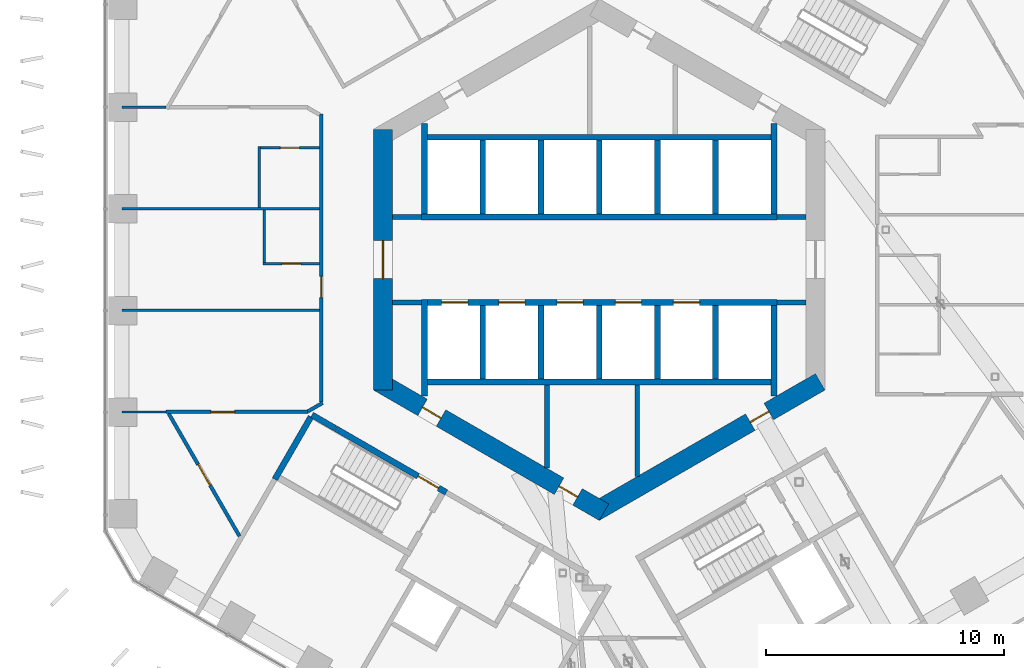
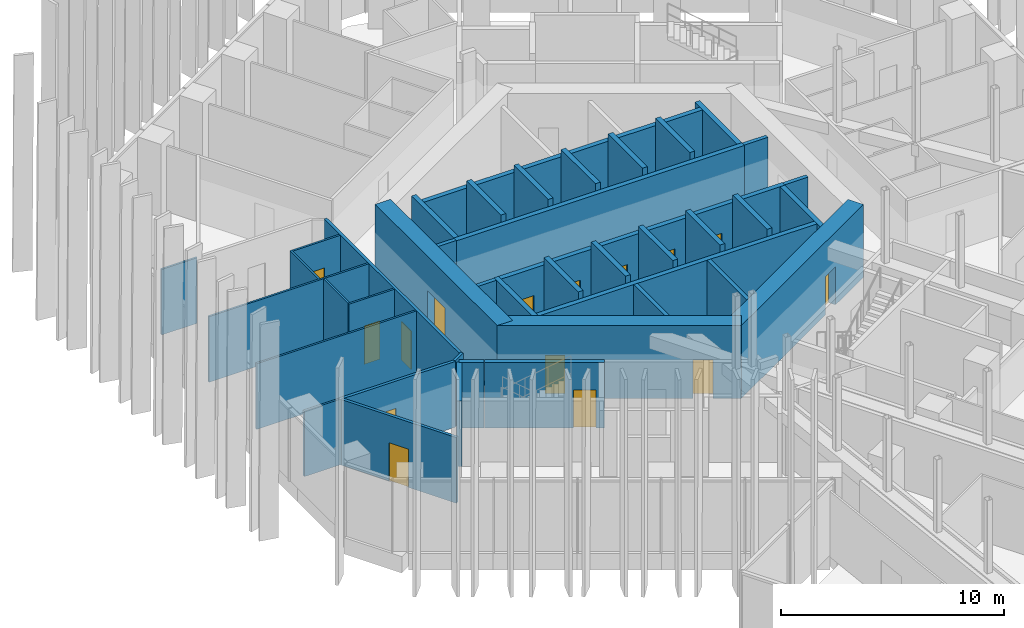
# One storey, part 21 of 29: 42 walls, 15 doors, 15 openings.
"""IFC4 building model written with IfcOpenShell, lengths in metres."""

from ifc_helpers import new_model, si_unit, direction, frame, frame_2d, origin, place, context, subcontext, project, spatial, rectangle, extrude, material, layer, layer_set, type_object, element, fill, save


model = new_model("IFC4")

# Units and contexts
model_context = context("Model", 3, precision=1e-05, world=origin(), true_north=direction((0.0, 1.0)))
body_context = subcontext(model_context, "Body", "Model", "MODEL_VIEW")
ifc_project = project(units=[si_unit("LENGTHUNIT", "METRE"), si_unit("AREAUNIT", "SQUARE_METRE"), si_unit("VOLUMEUNIT", "CUBIC_METRE"), si_unit("PLANEANGLEUNIT", "RADIAN"), si_unit("MASSUNIT", "GRAM", prefix="KILO")], contexts=[model_context])

# Site, building, storey
site_placement = place(None, origin())
site = spatial("IfcSite", under=ifc_project, at=site_placement, CompositionType="ELEMENT")
building_placement = place(site_placement, origin())
building = spatial("IfcBuilding", under=site, at=building_placement, Name="Ayvan Gate Tower", CompositionType="ELEMENT")
storey_placement = place(building_placement, frame((0.0, 0.0, 66.300048828125)))
storey = spatial("IfcBuildingStorey", under=building, at=storey_placement, Name="L17", CompositionType="ELEMENT", Elevation=66.300048828125)

# Wall, opening, door
ifc_material_1 = material(Name="Concrete C70/85", Category="concrete")
ifc_layer_1 = layer(ifc_material_1, 0.800048828125)
ifc_layer_set_1 = layer_set([ifc_layer_1], Name="Concrete C70/85")
wall_type_1 = type_object("IfcWallType", Name="Core wall 800 C70/85", PredefinedType="SHEAR", material=ifc_layer_set_1)
wall_1_placement = place(storey_placement, frame((-9.10009765625, 5.48486328125, 0.0), z_axis=(0.0, 0.0, 1.0), x_axis=(0.0, -1.0, 0.0)))
wall_1 = element("IfcWall", 1, at=wall_1_placement, inside=storey, type_object=wall_type_1, Name="CORE-L17-3", PredefinedType="SHEAR", context=body_context, shape_type="SweptSolid", body=[
    extrude(rectangle(XDim=10.9697265625, YDim=0.800048828125, at=frame_2d((5.48486328125, 0.0))), origin(), (0.0, 0.0, 1.0), 4.0),
])
opening_1_placement = place(wall_1_placement, frame((4.684814453125, 0.0, 0.0)))
opening_1 = element("IfcOpeningElement", 2, at=opening_1_placement, cuts=wall_1, Name="Opening L17-D58", PredefinedType="OPENING", context=body_context, shape_type="SweptSolid", body=[
    extrude(rectangle(XDim=1.60009765625, YDim=2.10009765625, at=frame_2d((0.800048828125, 1.050048828125))), frame((0.0, 0.409912109375, 0.0), z_axis=(0.0, -1.0, 0.0), x_axis=(1.0, 0.0, 0.0)), (0.0, 0.0, 1.0), 0.820068359375),
])
ifc_material_2 = material(Name="Timber door leaf", Category="wood")
door_type_1 = type_object("IfcDoorType", Name="DT-1600", OperationType="NOTDEFINED", PredefinedType="DOOR", material=ifc_material_2)
door_1_placement = place(opening_1_placement, origin())
door_1 = element("IfcDoor", 3, at=door_1_placement, inside=storey, type_object=door_type_1, Name="CD-L17-58", OperationType="SINGLE_SWING_LEFT", OverallHeight=2.10009765625, OverallWidth=1.60009765625, PredefinedType="DOOR", context=body_context, shape_type="SweptSolid", body=[
    extrude(rectangle(XDim=1.60009765625, YDim=2.10009765625, at=frame_2d((0.800048828125, 1.050048828125))), frame((0.0, 0.02490234375, 0.0), z_axis=(0.0, -1.0, 0.0), x_axis=(1.0, 0.0, 0.0)), (0.0, 0.0, 1.0), 0.050048828125),
])
fill(opening_1, door_1)

# Wall, openings, doors
wall_2_placement = place(storey_placement, frame((-9.300048828125, -5.138427734375, 0.0), z_axis=(0.0, 0.0, 1.0), x_axis=(0.866023993627, -0.500002442456, 0.0)))
wall_2 = element("IfcWall", 4, at=wall_2_placement, inside=storey, type_object=wall_type_1, Name="CORE-L17-4", PredefinedType="SHEAR", context=body_context, shape_type="SweptSolid", body=[
    extrude(rectangle(XDim=10.9697265625, YDim=0.800048828125, at=frame_2d((5.48486328125, 0.0))), origin(), (0.0, 0.0, 1.0), 4.0),
])
opening_2_placement = place(wall_2_placement, frame((2.1533203125, 0.0, 0.0)))
opening_2 = element("IfcOpeningElement", 5, at=opening_2_placement, cuts=wall_2, Name="Opening L17-D54", PredefinedType="OPENING", context=body_context, shape_type="SweptSolid", body=[
    extrude(rectangle(XDim=0.89990234375, YDim=2.10009765625, at=frame_2d((0.449951171875, 1.050048828125))), frame((0.0, 0.409912109375, 0.0), z_axis=(0.0, -1.0, 0.0), x_axis=(1.0, 0.0, 0.0)), (0.0, 0.0, 1.0), 0.820068359375),
])
opening_3_placement = place(wall_2_placement, frame((8.787109375, 0.0, 0.0)))
opening_3 = element("IfcOpeningElement", 6, at=opening_3_placement, cuts=wall_2, Name="Opening L17-D55", PredefinedType="OPENING", context=body_context, shape_type="SweptSolid", body=[
    extrude(rectangle(XDim=0.89990234375, YDim=2.10009765625, at=frame_2d((0.449951171875, 1.050048828125))), frame((0.0, 0.409912109375, 0.0), z_axis=(0.0, -1.0, 0.0), x_axis=(1.0, 0.0, 0.0)), (0.0, 0.0, 1.0), 0.820068359375),
])
door_type_2 = type_object("IfcDoorType", Name="DT-900", OperationType="NOTDEFINED", PredefinedType="DOOR", material=ifc_material_2)
door_2_placement = place(opening_2_placement, origin())
door_2 = element("IfcDoor", 7, at=door_2_placement, inside=storey, type_object=door_type_2, Name="CD-L17-54", OperationType="SINGLE_SWING_LEFT", OverallHeight=2.10009765625, OverallWidth=0.89990234375, PredefinedType="DOOR", context=body_context, shape_type="SweptSolid", body=[
    extrude(rectangle(XDim=0.89990234375, YDim=2.10009765625, at=frame_2d((0.449951171875, 1.050048828125))), frame((0.0, 0.02490234375, 0.0), z_axis=(0.0, -1.0, 0.0), x_axis=(1.0, 0.0, 0.0)), (0.0, 0.0, 1.0), 0.050048828125),
])
fill(opening_2, door_2)
door_3_placement = place(opening_3_placement, origin())
door_3 = element("IfcDoor", 8, at=door_3_placement, inside=storey, type_object=door_type_2, Name="CD-L17-55", OperationType="SINGLE_SWING_RIGHT", OverallHeight=2.10009765625, OverallWidth=0.89990234375, PredefinedType="DOOR", context=body_context, shape_type="SweptSolid", body=[
    extrude(rectangle(XDim=0.89990234375, YDim=2.10009765625, at=frame_2d((0.449951171875, 1.050048828125))), frame((0.0, 0.02490234375, 0.0), z_axis=(0.0, -1.0, 0.0), x_axis=(1.0, 0.0, 0.0)), (0.0, 0.0, 1.0), 0.050048828125),
])
fill(opening_3, door_3)

# Wall, opening, door
wall_3_placement = place(storey_placement, frame((-0.199951171875, -10.623291015625, 0.0), z_axis=(0.0, 0.0, 1.0), x_axis=(0.866023993627, 0.500002442456, 0.0)))
wall_3 = element("IfcWall", 9, at=wall_3_placement, inside=storey, type_object=wall_type_1, Name="CORE-L17-5", PredefinedType="SHEAR", context=body_context, shape_type="SweptSolid", body=[
    extrude(rectangle(XDim=10.9697265625, YDim=0.800048828125, at=frame_2d((5.48486328125, 0.0))), origin(), (0.0, 0.0, 1.0), 4.0),
])
opening_4_placement = place(wall_3_placement, frame((7.570068359375, 0.0, 0.0)))
opening_4 = element("IfcOpeningElement", 10, at=opening_4_placement, cuts=wall_3, Name="Opening L17-D56", PredefinedType="OPENING", context=body_context, shape_type="SweptSolid", body=[
    extrude(rectangle(XDim=0.89990234375, YDim=2.10009765625, at=frame_2d((0.449951171875, 1.050048828125))), frame((0.0, 0.409912109375, 0.0), z_axis=(0.0, -1.0, 0.0), x_axis=(1.0, 0.0, 0.0)), (0.0, 0.0, 1.0), 0.820068359375),
])
door_4_placement = place(opening_4_placement, origin())
door_4 = element("IfcDoor", 11, at=door_4_placement, inside=storey, type_object=door_type_2, Name="CD-L17-56", OperationType="SINGLE_SWING_LEFT", OverallHeight=2.10009765625, OverallWidth=0.89990234375, PredefinedType="DOOR", context=body_context, shape_type="SweptSolid", body=[
    extrude(rectangle(XDim=0.89990234375, YDim=2.10009765625, at=frame_2d((0.449951171875, 1.050048828125))), frame((0.0, 0.02490234375, 0.0), z_axis=(0.0, -1.0, 0.0), x_axis=(1.0, 0.0, 0.0)), (0.0, 0.0, 1.0), 0.050048828125),
])
fill(opening_4, door_4)

ifc_material_3 = material(Name="Plasterboard on steel stud", Category="steel")
ifc_layer_2 = layer(ifc_material_3, 0.14990234375)
ifc_layer_set_2 = layer_set([ifc_layer_2], Name="Plasterboard on steel stud")
wall_type_2 = type_object("IfcWallType", Name="WT-CORR-150", PredefinedType="PARTITIONING", material=ifc_layer_set_2)
wall_4_placement = place(storey_placement, frame((-18.22802734375, -6.407470703125, 0.0), z_axis=(0.0, 0.0, 1.0), x_axis=(1.0, 0.0, 0.0)))
wall_4 = element("IfcWall", 12, at=wall_4_placement, inside=storey, type_object=wall_type_2, Name="IW-L17-002", PredefinedType="PARTITIONING", context=body_context, shape_type="SweptSolid", body=[
    extrude(rectangle(XDim=5.98095703125, YDim=0.14990234375, at=frame_2d((2.990478515625, 0.0))), origin(), (0.0, 0.0, 1.0), 3.599853515625),
])
opening_5_placement = place(wall_4_placement, frame((1.890380859375, 0.0, 0.0)))
opening_5 = element("IfcOpeningElement", 13, at=opening_5_placement, cuts=wall_4, Name="Opening L17-D31", PredefinedType="OPENING", context=body_context, shape_type="SweptSolid", body=[
    extrude(rectangle(XDim=1.0, YDim=2.10009765625, at=frame_2d((0.5, 1.050048828125))), frame((0.0, 0.0849609375, 0.0), z_axis=(0.0, -1.0, 0.0), x_axis=(1.0, 0.0, 0.0)), (0.0, 0.0, 1.0), 0.169921875),
])
door_type_3 = type_object("IfcDoorType", Name="DT-1000", OperationType="NOTDEFINED", PredefinedType="DOOR", material=ifc_material_2)
door_5_placement = place(opening_5_placement, origin())
door_5 = element("IfcDoor", 14, at=door_5_placement, inside=storey, type_object=door_type_3, Name="ID-L17-031", OperationType="SINGLE_SWING_RIGHT", OverallHeight=2.10009765625, OverallWidth=1.0, PredefinedType="DOOR", context=body_context, shape_type="SweptSolid", body=[
    extrude(rectangle(XDim=1.0, YDim=2.10009765625, at=frame_2d((0.5, 1.050048828125))), frame((0.0, 0.02490234375, 0.0), z_axis=(0.0, -1.0, 0.0), x_axis=(1.0, 0.0, 0.0)), (0.0, 0.0, 1.0), 0.050048828125),
])
fill(opening_5, door_5)

wall_5_placement = place(storey_placement, frame((-15.133056640625, -11.63818359375, 0.0), z_axis=(0.0, 0.0, 1.0), x_axis=(-0.499995262016, 0.866028139243, 0.0)))
wall_5 = element("IfcWall", 15, at=wall_5_placement, inside=storey, type_object=wall_type_2, Name="IW-L17-006", PredefinedType="PARTITIONING", context=body_context, shape_type="SweptSolid", body=[
    extrude(rectangle(XDim=5.96484375, YDim=0.14990234375, at=frame_2d((2.982421875, 0.0))), origin(), (0.0, 0.0, 1.0), 3.599853515625),
])
opening_6_placement = place(wall_5_placement, frame((2.482421875, 0.0, 0.0)))
opening_6 = element("IfcOpeningElement", 16, at=opening_6_placement, cuts=wall_5, Name="Opening L17-D32", PredefinedType="OPENING", context=body_context, shape_type="SweptSolid", body=[
    extrude(rectangle(XDim=1.0, YDim=2.10009765625, at=frame_2d((0.5, 1.050048828125))), frame((0.0, 0.0849609375, 0.0), z_axis=(0.0, -1.0, 0.0), x_axis=(1.0, 0.0, 0.0)), (0.0, 0.0, 1.0), 0.169921875),
])
door_6_placement = place(opening_6_placement, origin())
door_6 = element("IfcDoor", 17, at=door_6_placement, inside=storey, type_object=door_type_3, Name="ID-L17-032", OperationType="SINGLE_SWING_LEFT", OverallHeight=2.10009765625, OverallWidth=1.0, PredefinedType="DOOR", context=body_context, shape_type="SweptSolid", body=[
    extrude(rectangle(XDim=1.0, YDim=2.10009765625, at=frame_2d((0.5, 1.050048828125))), frame((0.0, 0.02490234375, 0.0), z_axis=(0.0, -1.0, 0.0), x_axis=(1.0, 0.0, 0.0)), (0.0, 0.0, 1.0), 0.050048828125),
])
fill(opening_6, door_6)

# Wall
wall_6_placement = place(storey_placement, frame((-12.259765625, -6.385498046875, 0.0), z_axis=(0.0, 0.0, 1.0), x_axis=(0.865943239699, 0.500142285375, 0.0)))
element("IfcWall", 18, at=wall_6_placement, inside=storey, type_object=wall_type_2, Name="IW-L17-013", PredefinedType="PARTITIONING", context=body_context, shape_type="SweptSolid", body=[
    extrude(rectangle(XDim=0.721435546875, YDim=0.14990234375, at=frame_2d((0.36083984375, 0.0))), origin(), (0.0, 0.0, 1.0), 3.599853515625),
])

# Wall, opening, door
wall_7_placement = place(storey_placement, frame((-11.699951171875, 6.13720703125, 0.0), z_axis=(0.0, 0.0, 1.0), x_axis=(0.0, -1.0, 0.0)))
wall_7 = element("IfcWall", 19, at=wall_7_placement, inside=storey, type_object=wall_type_2, Name="IW-L17-017", PredefinedType="PARTITIONING", context=body_context, shape_type="SweptSolid", body=[
    extrude(rectangle(XDim=12.12451171875, YDim=0.14990234375, at=frame_2d((6.062255859375, 0.0))), origin(), (0.0, 0.0, 1.0), 3.599853515625),
])
opening_7_placement = place(wall_7_placement, frame((6.837158203125, 0.0, 0.0)))
opening_7 = element("IfcOpeningElement", 20, at=opening_7_placement, cuts=wall_7, Name="Opening L17-D29", PredefinedType="OPENING", context=body_context, shape_type="SweptSolid", body=[
    extrude(rectangle(XDim=0.89990234375, YDim=2.10009765625, at=frame_2d((0.449951171875, 1.050048828125))), frame((0.0, 0.0849609375, 0.0), z_axis=(0.0, -1.0, 0.0), x_axis=(1.0, 0.0, 0.0)), (0.0, 0.0, 1.0), 0.169921875),
])
door_7_placement = place(opening_7_placement, origin())
door_7 = element("IfcDoor", 21, at=door_7_placement, inside=storey, type_object=door_type_2, Name="ID-L17-029", OperationType="SINGLE_SWING_RIGHT", OverallHeight=2.10009765625, OverallWidth=0.89990234375, PredefinedType="DOOR", context=body_context, shape_type="SweptSolid", body=[
    extrude(rectangle(XDim=0.89990234375, YDim=2.10009765625, at=frame_2d((0.449951171875, 1.050048828125))), frame((0.0, 0.02490234375, 0.0), z_axis=(0.0, -1.0, 0.0), x_axis=(1.0, 0.0, 0.0)), (0.0, 0.0, 1.0), 0.050048828125),
])
fill(opening_7, door_7)

# Walls
ifc_layer_3 = layer(ifc_material_3, 0.10009765625)
ifc_layer_set_3 = layer_set([ifc_layer_3], Name="Plasterboard on steel stud")
wall_type_3 = type_object("IfcWallType", Name="WT-PART-100", PredefinedType="PARTITIONING", material=ifc_layer_set_3)
wall_8_placement = place(storey_placement, frame((-18.22802734375, 6.407470703125, 0.0), z_axis=(0.0, 0.0, 1.0), x_axis=(-1.0, 0.0, 0.0)))
element("IfcWall", 22, at=wall_8_placement, inside=storey, type_object=wall_type_3, Name="IW-L17-000", PredefinedType="PARTITIONING", context=body_context, shape_type="SweptSolid", body=[
    extrude(rectangle(XDim=1.844482421875, YDim=0.10009765625, at=frame_2d((0.92236328125, 0.0))), origin(), (0.0, 0.0, 1.0), 3.599853515625),
])
wall_9_placement = place(storey_placement, frame((-18.227783203125, -6.407470703125, 0.0), z_axis=(0.0, 0.0, 1.0), x_axis=(-1.0, 0.0, 0.0)))
element("IfcWall", 23, at=wall_9_placement, inside=storey, type_object=wall_type_3, Name="IW-L17-003", PredefinedType="PARTITIONING", context=body_context, shape_type="SweptSolid", body=[
    extrude(rectangle(XDim=1.8447265625, YDim=0.10009765625, at=frame_2d((0.92236328125, 0.0))), origin(), (0.0, 0.0, 1.0), 3.599853515625),
])
wall_10_placement = place(storey_placement, frame((-20.072509765625, 2.1357421875, 0.0), z_axis=(0.0, 0.0, 1.0), x_axis=(1.0, 0.0, 0.0)))
element("IfcWall", 24, at=wall_10_placement, inside=storey, type_object=wall_type_3, Name="IW-L17-007", PredefinedType="PARTITIONING", context=body_context, shape_type="SweptSolid", body=[
    extrude(rectangle(XDim=8.297607421875, YDim=0.10009765625, at=frame_2d((4.14892578125, 0.0))), origin(), (0.0, 0.0, 1.0), 3.599853515625),
])
wall_11_placement = place(storey_placement, frame((-14.300048828125, 4.757568359375, 0.0), z_axis=(0.0, 0.0, 1.0), x_axis=(0.0, -1.0, 0.0)))
element("IfcWall", 25, at=wall_11_placement, inside=storey, type_object=wall_type_3, Name="IW-L17-008", PredefinedType="PARTITIONING", context=body_context, shape_type="SweptSolid", body=[
    extrude(rectangle(XDim=2.57177734375, YDim=0.10009765625, at=frame_2d((1.285888671875, 0.0))), origin(), (0.0, 0.0, 1.0), 3.599853515625),
])

# Wall, opening, door
wall_12_placement = place(storey_placement, frame((-14.14990234375, -0.164306640625, 0.0), z_axis=(0.0, 0.0, 1.0), x_axis=(1.0, 0.0, 0.0)))
wall_12 = element("IfcWall", 26, at=wall_12_placement, inside=storey, type_object=wall_type_3, Name="IW-L17-010", PredefinedType="PARTITIONING", context=body_context, shape_type="SweptSolid", body=[
    extrude(rectangle(XDim=2.375, YDim=0.10009765625, at=frame_2d((1.1875, 0.0))), origin(), (0.0, 0.0, 1.0), 3.599853515625),
])
opening_8_placement = place(wall_12_placement, frame((0.8125, 0.0, 0.0)))
opening_8 = element("IfcOpeningElement", 27, at=opening_8_placement, cuts=wall_12, Name="Opening L17-D30", PredefinedType="OPENING", context=body_context, shape_type="SweptSolid", body=[
    extrude(rectangle(XDim=0.800048828125, YDim=2.10009765625, at=frame_2d((0.39990234375, 1.050048828125))), frame((0.0, 0.06005859375, 0.0), z_axis=(0.0, -1.0, 0.0), x_axis=(1.0, 0.0, 0.0)), (0.0, 0.0, 1.0), 0.1201171875),
])
door_type_4 = type_object("IfcDoorType", Name="DT-800", OperationType="NOTDEFINED", PredefinedType="DOOR", material=ifc_material_2)
door_8_placement = place(opening_8_placement, origin())
door_8 = element("IfcDoor", 28, at=door_8_placement, inside=storey, type_object=door_type_4, Name="ID-L17-030", OperationType="SINGLE_SWING_LEFT", OverallHeight=2.10009765625, OverallWidth=0.800048828125, PredefinedType="DOOR", context=body_context, shape_type="SweptSolid", body=[
    extrude(rectangle(XDim=0.800048828125, YDim=2.10009765625, at=frame_2d((0.39990234375, 1.050048828125))), frame((0.0, 0.02490234375, 0.0), z_axis=(0.0, -1.0, 0.0), x_axis=(1.0, 0.0, 0.0)), (0.0, 0.0, 1.0), 0.050048828125),
])
fill(opening_8, door_8)

# Walls
wall_13_placement = place(storey_placement, frame((-14.10009765625, 2.085693359375, 0.0), z_axis=(0.0, 0.0, 1.0), x_axis=(0.0, -1.0, 0.0)))
element("IfcWall", 29, at=wall_13_placement, inside=storey, type_object=wall_type_3, Name="IW-L17-011", PredefinedType="PARTITIONING", context=body_context, shape_type="SweptSolid", body=[
    extrude(rectangle(XDim=2.199951171875, YDim=0.10009765625, at=frame_2d((1.10009765625, 0.0))), origin(), (0.0, 0.0, 1.0), 3.599853515625),
])
wall_14_placement = place(storey_placement, frame((-11.77490234375, -2.1357421875, 0.0), z_axis=(0.0, 0.0, 1.0), x_axis=(-1.0, 0.0, 0.0)))
element("IfcWall", 30, at=wall_14_placement, inside=storey, type_object=wall_type_3, Name="IW-L17-016", PredefinedType="PARTITIONING", context=body_context, shape_type="SweptSolid", body=[
    extrude(rectangle(XDim=8.297607421875, YDim=0.10009765625, at=frame_2d((4.14892578125, 0.0))), origin(), (0.0, 0.0, 1.0), 3.599853515625),
])

# Wall, opening, door
wall_15_placement = place(storey_placement, frame((-11.77490234375, 4.70751953125, 0.0), z_axis=(0.0, 0.0, 1.0), x_axis=(-1.0, 0.0, 0.0)))
wall_15 = element("IfcWall", 31, at=wall_15_placement, inside=storey, type_object=wall_type_3, Name="IW-L17-018", PredefinedType="PARTITIONING", context=body_context, shape_type="SweptSolid", body=[
    extrude(rectangle(XDim=2.47509765625, YDim=0.10009765625, at=frame_2d((1.237548828125, 0.0))), origin(), (0.0, 0.0, 1.0), 3.599853515625),
])
opening_9_placement = place(wall_15_placement, frame((0.83740234375, 0.0, 0.0)))
opening_9 = element("IfcOpeningElement", 32, at=opening_9_placement, cuts=wall_15, Name="Opening L17-D28", PredefinedType="OPENING", context=body_context, shape_type="SweptSolid", body=[
    extrude(rectangle(XDim=0.800048828125, YDim=2.10009765625, at=frame_2d((0.39990234375, 1.050048828125))), frame((0.0, 0.06005859375, 0.0), z_axis=(0.0, -1.0, 0.0), x_axis=(1.0, 0.0, 0.0)), (0.0, 0.0, 1.0), 0.1201171875),
])
door_9_placement = place(opening_9_placement, origin())
door_9 = element("IfcDoor", 33, at=door_9_placement, inside=storey, type_object=door_type_4, Name="ID-L17-028", OperationType="SINGLE_SWING_LEFT", OverallHeight=2.10009765625, OverallWidth=0.800048828125, PredefinedType="DOOR", context=body_context, shape_type="SweptSolid", body=[
    extrude(rectangle(XDim=0.800048828125, YDim=2.10009765625, at=frame_2d((0.39990234375, 1.050048828125))), frame((0.0, 0.02490234375, 0.0), z_axis=(0.0, -1.0, 0.0), x_axis=(1.0, 0.0, 0.0)), (0.0, 0.0, 1.0), 0.050048828125),
])
fill(opening_9, door_9)

# Walls
ifc_layer_4 = layer(ifc_material_3, 0.199951171875)
ifc_layer_set_4 = layer_set([ifc_layer_4], Name="Plasterboard on steel stud")
wall_type_4 = type_object("IfcWallType", Name="WT-RATED-200", PredefinedType="PARTITIONING", material=ifc_layer_set_4)
for number, where, z_axis, x_axis, name in (
    (34, (-8.699951171875, 1.800048828125, 0.0), (0.0, 0.0, 1.0), (1.0, 0.0, 0.0), "IW-L17-022"),
    (35, (-7.474853515625, -1.800048828125, 0.0), (0.0, 0.0, 1.0), (-1.0, 0.0, 0.0), "IW-L17-032"),
):
    element("IfcWall", number, at=place(storey_placement, frame(where, z_axis=z_axis, x_axis=x_axis)), inside=storey, type_object=wall_type_4, Name=name, PredefinedType="PARTITIONING", context=body_context, shape_type="SweptSolid", body=[
        extrude(rectangle(XDim=1.22509765625, YDim=0.199951171875, at=frame_2d((0.612548828125, 0.0))), origin(), (0.0, 0.0, 1.0), 3.599853515625),
    ])
wall_16_placement = place(storey_placement, frame((-2.199951171875, -5.27490234375, 0.0), z_axis=(0.0, 0.0, 1.0), x_axis=(0.0, -1.0, 0.0)))
element("IfcWall", 36, at=wall_16_placement, inside=storey, type_object=wall_type_4, Name="IW-L17-051", PredefinedType="PARTITIONING", context=body_context, shape_type="SweptSolid", body=[
    extrude(rectangle(XDim=3.500732421875, YDim=0.199951171875, at=frame_2d((1.75048828125, 0.0))), origin(), (0.0, 0.0, 1.0), 3.599853515625),
])
wall_17_placement = place(storey_placement, frame((1.60009765625, -5.27490234375, 0.0), z_axis=(0.0, 0.0, 1.0), x_axis=(0.0, -1.0, 0.0)))
element("IfcWall", 37, at=wall_17_placement, inside=storey, type_object=wall_type_4, Name="IW-L17-081", PredefinedType="PARTITIONING", context=body_context, shape_type="SweptSolid", body=[
    extrude(rectangle(XDim=3.84716796875, YDim=0.199951171875, at=frame_2d((1.923583984375, 0.0))), origin(), (0.0, 0.0, 1.0), 3.599853515625),
])
for number, where, z_axis, x_axis, name in (
    (38, (7.474853515625, 1.800048828125, 0.0), (0.0, 0.0, 1.0), (1.0, 0.0, 0.0), "IW-L17-104"),
    (39, (8.699951171875, -1.800048828125, 0.0), (0.0, 0.0, 1.0), (-1.0, 0.0, 0.0), "IW-L17-111"),
):
    element("IfcWall", number, at=place(storey_placement, frame(where, z_axis=z_axis, x_axis=x_axis)), inside=storey, type_object=wall_type_4, Name=name, PredefinedType="PARTITIONING", context=body_context, shape_type="SweptSolid", body=[
        extrude(rectangle(XDim=1.22509765625, YDim=0.199951171875, at=frame_2d((0.612548828125, 0.0))), origin(), (0.0, 0.0, 1.0), 3.599853515625),
    ])
ifc_material_4 = material(Name="Concrete C50/60", Category="concrete")
ifc_layer_5 = layer(ifc_material_4, 0.25)
ifc_layer_set_5 = layer_set([ifc_layer_5], Name="Concrete C50/60")
wall_type_5 = type_object("IfcWallType", Name="WT-RC-250", PredefinedType="SHEAR", material=ifc_layer_set_5)
wall_18_placement = place(storey_placement, frame((-13.64794921875, -9.23876953125, 0.0), z_axis=(0.0, 0.0, 1.0), x_axis=(0.50000556753, 0.866022189346, 0.0)))
element("IfcWall", 40, at=wall_18_placement, inside=storey, type_object=wall_type_5, Name="IW-L17-012", PredefinedType="SHEAR", context=body_context, shape_type="SweptSolid", body=[
    extrude(rectangle(XDim=3.03564453125, YDim=0.25, at=frame_2d((1.517822265625, 0.0))), origin(), (0.0, 0.0, 1.0), 3.599853515625),
])
wall_19_placement = place(storey_placement, frame((-12.08544921875, -6.532470703125, 0.0), z_axis=(0.0, 0.0, 1.0), x_axis=(0.86604373436, -0.499968249168, 0.0)))
element("IfcWall", 41, at=wall_19_placement, inside=storey, type_object=wall_type_5, Name="IW-L17-015", PredefinedType="SHEAR", context=body_context, shape_type="SweptSolid", body=[
    extrude(rectangle(XDim=1.11767578125, YDim=0.25, at=frame_2d((0.558837890625, 0.0))), origin(), (0.0, 0.0, 1.0), 3.599853515625),
])

# Wall, opening, door
wall_20_placement = place(storey_placement, frame((-11.10009765625, -7.101318359375, 0.0), z_axis=(0.0, 0.0, 1.0), x_axis=(0.866028615007, -0.499994437958, 0.0)))
wall_20 = element("IfcWall", 42, at=wall_20_placement, inside=storey, type_object=wall_type_5, Name="IW-L17-020", PredefinedType="SHEAR", context=body_context, shape_type="SweptSolid", body=[
    extrude(rectangle(XDim=5.38720703125, YDim=0.25, at=frame_2d((2.693603515625, 0.0))), origin(), (0.0, 0.0, 1.0), 3.599853515625),
])
opening_10_placement = place(wall_20_placement, frame((4.01220703125, 0.0, 0.0)))
opening_10 = element("IfcOpeningElement", 43, at=opening_10_placement, cuts=wall_20, Name="Opening L17-D10", PredefinedType="OPENING", context=body_context, shape_type="SweptSolid", body=[
    extrude(rectangle(XDim=1.0, YDim=2.10009765625, at=frame_2d((0.5, 1.050048828125))), frame((0.0, 0.135009765625, 0.0), z_axis=(0.0, -1.0, 0.0), x_axis=(1.0, 0.0, 0.0)), (0.0, 0.0, 1.0), 0.27001953125),
])
door_10_placement = place(opening_10_placement, origin())
door_10 = element("IfcDoor", 44, at=door_10_placement, inside=storey, type_object=door_type_3, Name="ID-L17-010", OperationType="SINGLE_SWING_LEFT", OverallHeight=2.10009765625, OverallWidth=1.0, PredefinedType="DOOR", context=body_context, shape_type="SweptSolid", body=[
    extrude(rectangle(XDim=1.0, YDim=2.10009765625, at=frame_2d((0.5, 1.050048828125))), frame((0.0, 0.02490234375, 0.0), z_axis=(0.0, -1.0, 0.0), x_axis=(1.0, 0.0, 0.0)), (0.0, 0.0, 1.0), 0.050048828125),
])
fill(opening_10, door_10)

# Walls
wall_21_placement = place(storey_placement, frame((-7.47509765625, 1.800048828125, 0.0), z_axis=(0.0, 0.0, 1.0), x_axis=(1.0, 0.0, 0.0)))
element("IfcWall", 45, at=wall_21_placement, inside=storey, type_object=wall_type_5, Name="IW-L17-028", PredefinedType="SHEAR", context=body_context, shape_type="SweptSolid", body=[
    extrude(rectangle(XDim=14.9501953125, YDim=0.25, at=frame_2d((7.47509765625, 0.0))), origin(), (0.0, 0.0, 1.0), 3.599853515625),
])
wall_22_placement = place(storey_placement, frame((-7.35009765625, -5.730224609375, 0.0), z_axis=(0.0, 0.0, 1.0), x_axis=(0.0, 1.0, 0.0)))
element("IfcWall", 46, at=wall_22_placement, inside=storey, type_object=wall_type_5, Name="IW-L17-029", PredefinedType="SHEAR", context=body_context, shape_type="SweptSolid", body=[
    extrude(rectangle(XDim=4.05517578125, YDim=0.25, at=frame_2d((2.027587890625, 0.0))), origin(), (0.0, 0.0, 1.0), 3.599853515625),
])
wall_23_placement = place(storey_placement, frame((-7.35009765625, 1.925048828125, 0.0), z_axis=(0.0, 0.0, 1.0), x_axis=(0.0, 1.0, 0.0)))
element("IfcWall", 47, at=wall_23_placement, inside=storey, type_object=wall_type_5, Name="IW-L17-030", PredefinedType="SHEAR", context=body_context, shape_type="SweptSolid", body=[
    extrude(rectangle(XDim=3.80517578125, YDim=0.25, at=frame_2d((1.902587890625, 0.0))), origin(), (0.0, 0.0, 1.0), 3.599853515625),
])
for number, where, z_axis, x_axis, name in (
    (48, (-7.22509765625, 5.14990234375, 0.0), (0.0, 0.0, 1.0), (1.0, 0.0, 0.0), "IW-L17-031"),
    (49, (-7.22509765625, -5.14990234375, 0.0), (0.0, 0.0, 1.0), (1.0, 0.0, 0.0), "IW-L17-038"),
):
    element("IfcWall", number, at=place(storey_placement, frame(where, z_axis=z_axis, x_axis=x_axis)), inside=storey, type_object=wall_type_5, Name=name, PredefinedType="SHEAR", context=body_context, shape_type="SweptSolid", body=[
        extrude(rectangle(XDim=14.7001953125, YDim=0.25, at=frame_2d((7.35009765625, 0.0))), origin(), (0.0, 0.0, 1.0), 3.599853515625),
    ])
for number, where, z_axis, x_axis, name in (
    (50, (-4.89990234375, -1.925048828125, 0.0), (0.0, 0.0, 1.0), (0.0, -1.0, 0.0), "IW-L17-039"),
    (51, (-4.89990234375, 5.02490234375, 0.0), (0.0, 0.0, 1.0), (0.0, -1.0, 0.0), "IW-L17-040"),
):
    element("IfcWall", number, at=place(storey_placement, frame(where, z_axis=z_axis, x_axis=x_axis)), inside=storey, type_object=wall_type_5, Name=name, PredefinedType="SHEAR", context=body_context, shape_type="SweptSolid", body=[
        extrude(rectangle(XDim=3.099853515625, YDim=0.25, at=frame_2d((1.5498046875, 0.0))), origin(), (0.0, 0.0, 1.0), 4.0),
    ])

# Wall, openings, doors
wall_24_placement = place(storey_placement, frame((-7.22509765625, -1.800048828125, 0.0), z_axis=(0.0, 0.0, 1.0), x_axis=(1.0, 0.0, 0.0)))
wall_24 = element("IfcWall", 52, at=wall_24_placement, inside=storey, type_object=wall_type_5, Name="IW-L17-041", PredefinedType="SHEAR", context=body_context, shape_type="SweptSolid", body=[
    extrude(rectangle(XDim=14.7001953125, YDim=0.25, at=frame_2d((7.35009765625, 0.0))), origin(), (0.0, 0.0, 1.0), 3.599853515625),
])
opening_11_placement = place(wall_24_placement, frame((0.597412109375, 0.0, 0.0)))
opening_11 = element("IfcOpeningElement", 53, at=opening_11_placement, cuts=wall_24, Name="Opening L17-LD-LR1", PredefinedType="OPENING", context=body_context, shape_type="SweptSolid", body=[
    extrude(rectangle(XDim=1.10009765625, YDim=2.10009765625, at=frame_2d((0.550048828125, 1.050048828125))), frame((0.0, 0.135009765625, 0.0), z_axis=(0.0, -1.0, 0.0), x_axis=(1.0, 0.0, 0.0)), (0.0, 0.0, 1.0), 0.27001953125),
])
opening_12_placement = place(wall_24_placement, frame((3.0, 0.0, 0.0)))
opening_12 = element("IfcOpeningElement", 54, at=opening_12_placement, cuts=wall_24, Name="Opening L17-LD-LR2", PredefinedType="OPENING", context=body_context, shape_type="SweptSolid", body=[
    extrude(rectangle(XDim=1.10009765625, YDim=2.10009765625, at=frame_2d((0.550048828125, 1.050048828125))), frame((0.0, 0.135009765625, 0.0), z_axis=(0.0, -1.0, 0.0), x_axis=(1.0, 0.0, 0.0)), (0.0, 0.0, 1.0), 0.27001953125),
])
opening_13_placement = place(wall_24_placement, frame((5.4501953125, 0.0, 0.0)))
opening_13 = element("IfcOpeningElement", 55, at=opening_13_placement, cuts=wall_24, Name="Opening L17-LD-LR3", PredefinedType="OPENING", context=body_context, shape_type="SweptSolid", body=[
    extrude(rectangle(XDim=1.10009765625, YDim=2.10009765625, at=frame_2d((0.550048828125, 1.050048828125))), frame((0.0, 0.135009765625, 0.0), z_axis=(0.0, -1.0, 0.0), x_axis=(1.0, 0.0, 0.0)), (0.0, 0.0, 1.0), 0.27001953125),
])
opening_14_placement = place(wall_24_placement, frame((7.900146484375, 0.0, 0.0)))
opening_14 = element("IfcOpeningElement", 56, at=opening_14_placement, cuts=wall_24, Name="Opening L17-LD-LR4", PredefinedType="OPENING", context=body_context, shape_type="SweptSolid", body=[
    extrude(rectangle(XDim=1.10009765625, YDim=2.10009765625, at=frame_2d((0.550048828125, 1.050048828125))), frame((0.0, 0.135009765625, 0.0), z_axis=(0.0, -1.0, 0.0), x_axis=(1.0, 0.0, 0.0)), (0.0, 0.0, 1.0), 0.27001953125),
])
opening_15_placement = place(wall_24_placement, frame((10.35009765625, 0.0, 0.0)))
opening_15 = element("IfcOpeningElement", 57, at=opening_15_placement, cuts=wall_24, Name="Opening L17-LD-SV", PredefinedType="OPENING", context=body_context, shape_type="SweptSolid", body=[
    extrude(rectangle(XDim=1.10009765625, YDim=2.10009765625, at=frame_2d((0.550048828125, 1.050048828125))), frame((0.0, 0.135009765625, 0.0), z_axis=(0.0, -1.0, 0.0), x_axis=(1.0, 0.0, 0.0)), (0.0, 0.0, 1.0), 0.27001953125),
])
ifc_material_5 = material(Name="Stainless steel landing door", Category="steel")
door_type_5 = type_object("IfcDoorType", Name="DT-LANDING-1100", OperationType="SLIDING_TO_LEFT", PredefinedType="DOOR", material=ifc_material_5)
door_11_placement = place(opening_11_placement, origin())
door_11 = element("IfcDoor", 58, at=door_11_placement, inside=storey, type_object=door_type_5, Name="ID-L17-001", OperationType="SLIDING_TO_LEFT", OverallHeight=2.10009765625, OverallWidth=1.10009765625, PredefinedType="DOOR", context=body_context, shape_type="SweptSolid", body=[
    extrude(rectangle(XDim=1.10009765625, YDim=2.10009765625, at=frame_2d((0.550048828125, 1.050048828125))), frame((0.0, 0.02490234375, 0.0), z_axis=(0.0, -1.0, 0.0), x_axis=(1.0, 0.0, 0.0)), (0.0, 0.0, 1.0), 0.050048828125),
])
fill(opening_11, door_11)
door_12_placement = place(opening_12_placement, origin())
door_12 = element("IfcDoor", 59, at=door_12_placement, inside=storey, type_object=door_type_5, Name="ID-L17-002", OperationType="SLIDING_TO_LEFT", OverallHeight=2.10009765625, OverallWidth=1.10009765625, PredefinedType="DOOR", context=body_context, shape_type="SweptSolid", body=[
    extrude(rectangle(XDim=1.10009765625, YDim=2.10009765625, at=frame_2d((0.550048828125, 1.050048828125))), frame((0.0, 0.02490234375, 0.0), z_axis=(0.0, -1.0, 0.0), x_axis=(1.0, 0.0, 0.0)), (0.0, 0.0, 1.0), 0.050048828125),
])
fill(opening_12, door_12)
door_13_placement = place(opening_13_placement, origin())
door_13 = element("IfcDoor", 60, at=door_13_placement, inside=storey, type_object=door_type_5, Name="ID-L17-003", OperationType="SLIDING_TO_LEFT", OverallHeight=2.10009765625, OverallWidth=1.10009765625, PredefinedType="DOOR", context=body_context, shape_type="SweptSolid", body=[
    extrude(rectangle(XDim=1.10009765625, YDim=2.10009765625, at=frame_2d((0.550048828125, 1.050048828125))), frame((0.0, 0.02490234375, 0.0), z_axis=(0.0, -1.0, 0.0), x_axis=(1.0, 0.0, 0.0)), (0.0, 0.0, 1.0), 0.050048828125),
])
fill(opening_13, door_13)
door_14_placement = place(opening_14_placement, origin())
door_14 = element("IfcDoor", 61, at=door_14_placement, inside=storey, type_object=door_type_5, Name="ID-L17-004", OperationType="SLIDING_TO_LEFT", OverallHeight=2.10009765625, OverallWidth=1.10009765625, PredefinedType="DOOR", context=body_context, shape_type="SweptSolid", body=[
    extrude(rectangle(XDim=1.10009765625, YDim=2.10009765625, at=frame_2d((0.550048828125, 1.050048828125))), frame((0.0, 0.02490234375, 0.0), z_axis=(0.0, -1.0, 0.0), x_axis=(1.0, 0.0, 0.0)), (0.0, 0.0, 1.0), 0.050048828125),
])
fill(opening_14, door_14)
door_15_placement = place(opening_15_placement, origin())
door_15 = element("IfcDoor", 62, at=door_15_placement, inside=storey, type_object=door_type_5, Name="ID-L17-005", OperationType="SLIDING_TO_LEFT", OverallHeight=2.10009765625, OverallWidth=1.10009765625, PredefinedType="DOOR", context=body_context, shape_type="SweptSolid", body=[
    extrude(rectangle(XDim=1.10009765625, YDim=2.10009765625, at=frame_2d((0.550048828125, 1.050048828125))), frame((0.0, 0.02490234375, 0.0), z_axis=(0.0, -1.0, 0.0), x_axis=(1.0, 0.0, 0.0)), (0.0, 0.0, 1.0), 0.050048828125),
])
fill(opening_15, door_15)

# Walls
for number, where, z_axis, x_axis, name in (
    (63, (-2.449951171875, -1.925048828125, 0.0), (0.0, 0.0, 1.0), (0.0, -1.0, 0.0), "IW-L17-048"),
    (64, (-2.449951171875, 5.02490234375, 0.0), (0.0, 0.0, 1.0), (0.0, -1.0, 0.0), "IW-L17-049"),
    (65, (0.0, -1.925048828125, 0.0), (0.0, 0.0, 1.0), (0.0, -1.0, 0.0), "IW-L17-067"),
    (66, (0.0, 5.02490234375, 0.0), (0.0, 0.0, 1.0), (0.0, -1.0, 0.0), "IW-L17-068"),
    (67, (2.449951171875, -1.925048828125, 0.0), (0.0, 0.0, 1.0), (0.0, -1.0, 0.0), "IW-L17-083"),
    (68, (2.449951171875, 5.02490234375, 0.0), (0.0, 0.0, 1.0), (0.0, -1.0, 0.0), "IW-L17-084"),
    (69, (4.89990234375, -1.925048828125, 0.0), (0.0, 0.0, 1.0), (0.0, -1.0, 0.0), "IW-L17-094"),
    (70, (4.89990234375, 5.02490234375, 0.0), (0.0, 0.0, 1.0), (0.0, -1.0, 0.0), "IW-L17-095"),
):
    element("IfcWall", number, at=place(storey_placement, frame(where, z_axis=z_axis, x_axis=x_axis)), inside=storey, type_object=wall_type_5, Name=name, PredefinedType="SHEAR", context=body_context, shape_type="SweptSolid", body=[
        extrude(rectangle(XDim=3.099853515625, YDim=0.25, at=frame_2d((1.5498046875, 0.0))), origin(), (0.0, 0.0, 1.0), 4.0),
    ])
for number, where, z_axis, x_axis, name in (
    (71, (7.35009765625, -1.925048828125, 0.0), (0.0, 0.0, 1.0), (0.0, -1.0, 0.0), "IW-L17-105"),
    (72, (7.35009765625, 5.730224609375, 0.0), (0.0, 0.0, 1.0), (0.0, -1.0, 0.0), "IW-L17-106"),
):
    element("IfcWall", number, at=place(storey_placement, frame(where, z_axis=z_axis, x_axis=x_axis)), inside=storey, type_object=wall_type_5, Name=name, PredefinedType="SHEAR", context=body_context, shape_type="SweptSolid", body=[
        extrude(rectangle(XDim=3.80517578125, YDim=0.25, at=frame_2d((1.902587890625, 0.0))), origin(), (0.0, 0.0, 1.0), 3.599853515625),
    ])

save(model, "model.ifc")
